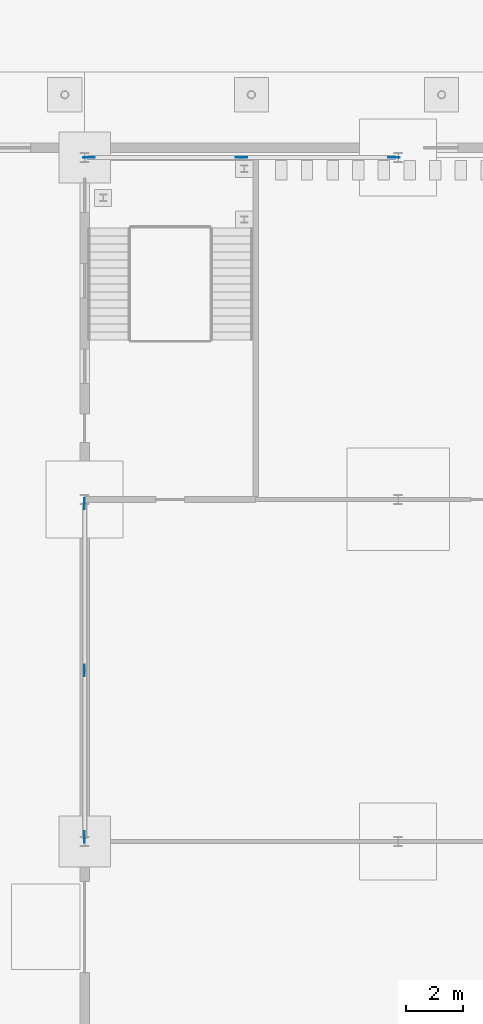
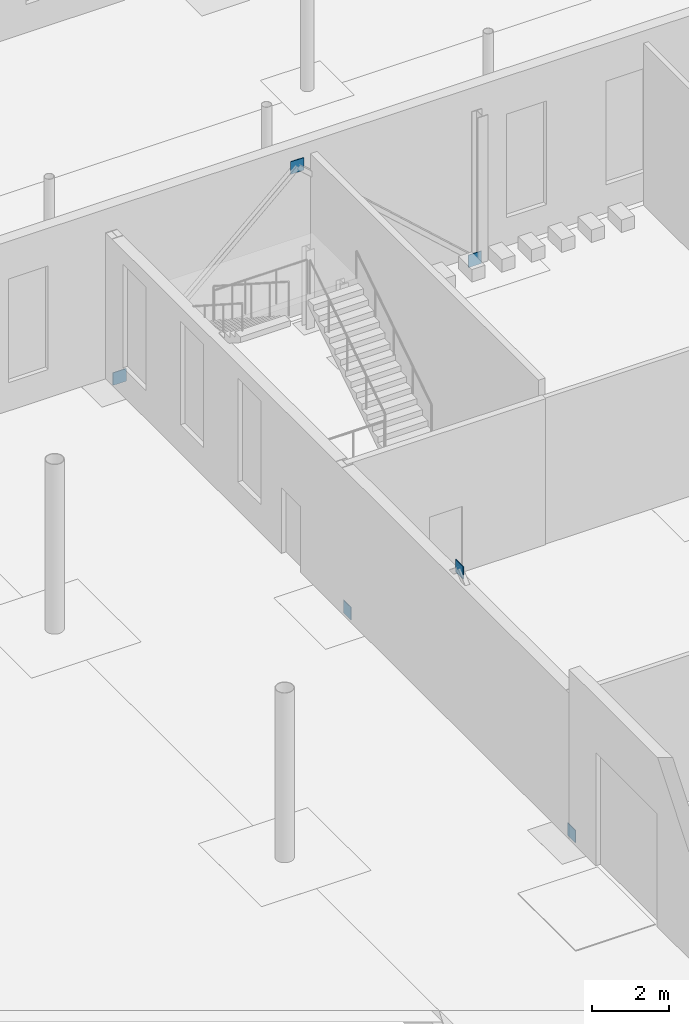
# One storey, part 106 of 132: 6 discrete accessories.
"""IFC4 building model written with IfcOpenShell, lengths in metres."""

from ifc_helpers import new_model, si_unit, direction, frame, origin, origin_2d, place, context, subcontext, project, spatial, rectangle, extrude, material, material_profile, profile_set, type_object, element, save


model = new_model("IFC4")

# Units and contexts
model_context = context("Model", 3, precision=1e-05, world=origin(), true_north=direction((0.0, 1.0)))
body_context = subcontext(model_context, "Body", "Model", "MODEL_VIEW")
ifc_project = project(units=[si_unit("LENGTHUNIT", "METRE"), si_unit("AREAUNIT", "SQUARE_METRE"), si_unit("VOLUMEUNIT", "CUBIC_METRE"), si_unit("PLANEANGLEUNIT", "RADIAN"), si_unit("MASSUNIT", "GRAM", prefix="KILO")], contexts=[model_context])

# Site, building, storey
site_placement = place(None, origin())
site = spatial("IfcSite", under=ifc_project, at=site_placement, CompositionType="ELEMENT")
building_placement = place(site_placement, origin())
building = spatial("IfcBuilding", under=site, at=building_placement, Name="Ravi Spectrum Wholesale Market", CompositionType="ELEMENT")
storey_placement = place(building_placement, origin())
storey = spatial("IfcBuildingStorey", under=building, at=storey_placement, Name="L00", CompositionType="ELEMENT", Elevation=0.0)

# Discrete accessories
ifc_material = material(Name="Steel S355", Category="steel")
ifc_material_profile = material_profile(ifc_material, rectangle(XDim=0.39990234375, YDim=0.02001953125, at=origin_2d()))
ifc_profile_set = profile_set([ifc_material_profile], Name="Steel S355")
discrete_accessory_type = type_object("IfcDiscreteAccessoryType", Name="Gusset plate 400x400x20", PredefinedType="BRACKET", material=ifc_profile_set)
for number, where, z_axis, x_axis, name in (
    (1, (37.0, 171.14990234375, -0.14208984375), (0.0, 0.0, 1.0), (0.0, 1.0, 0.0), "Gusset plate"),
    (2, (37.0, 177.0, 4.699951171875), (0.0, 0.0, 1.0), (0.0, 1.0, 0.0), "Gusset plate"),
    (3, (37.0, 182.85009765625, -0.14208984375), (0.0, 0.0, 1.0), (0.0, -1.0, 0.0), "Gusset plate"),
    (4, (37.14990234375, 195.0, -0.144287109375), (0.0, 0.0, 1.0), (1.0, 0.0, 0.0), "Gusset plate"),
    (5, (42.5, 195.0, 4.699951171875), (0.0, 0.0, 1.0), (1.0, 0.0, 0.0), "Gusset plate"),
    (6, (47.85009765625, 195.0, -0.144287109375), (0.0, 0.0, 1.0), (-1.0, 0.0, 0.0), "Gusset plate"),
):
    element("IfcDiscreteAccessory", number, at=place(storey_placement, frame(where, z_axis=z_axis, x_axis=x_axis)), inside=storey, type_object=discrete_accessory_type, Name=name, PredefinedType="BRACKET", context=body_context, shape_type="SweptSolid", body=[
        extrude(rectangle(XDim=0.39990234375, YDim=0.02001953125, at=origin_2d()), origin(), (0.0, 0.0, 1.0), 0.400146484375),
    ])

save(model, "model.ifc")
